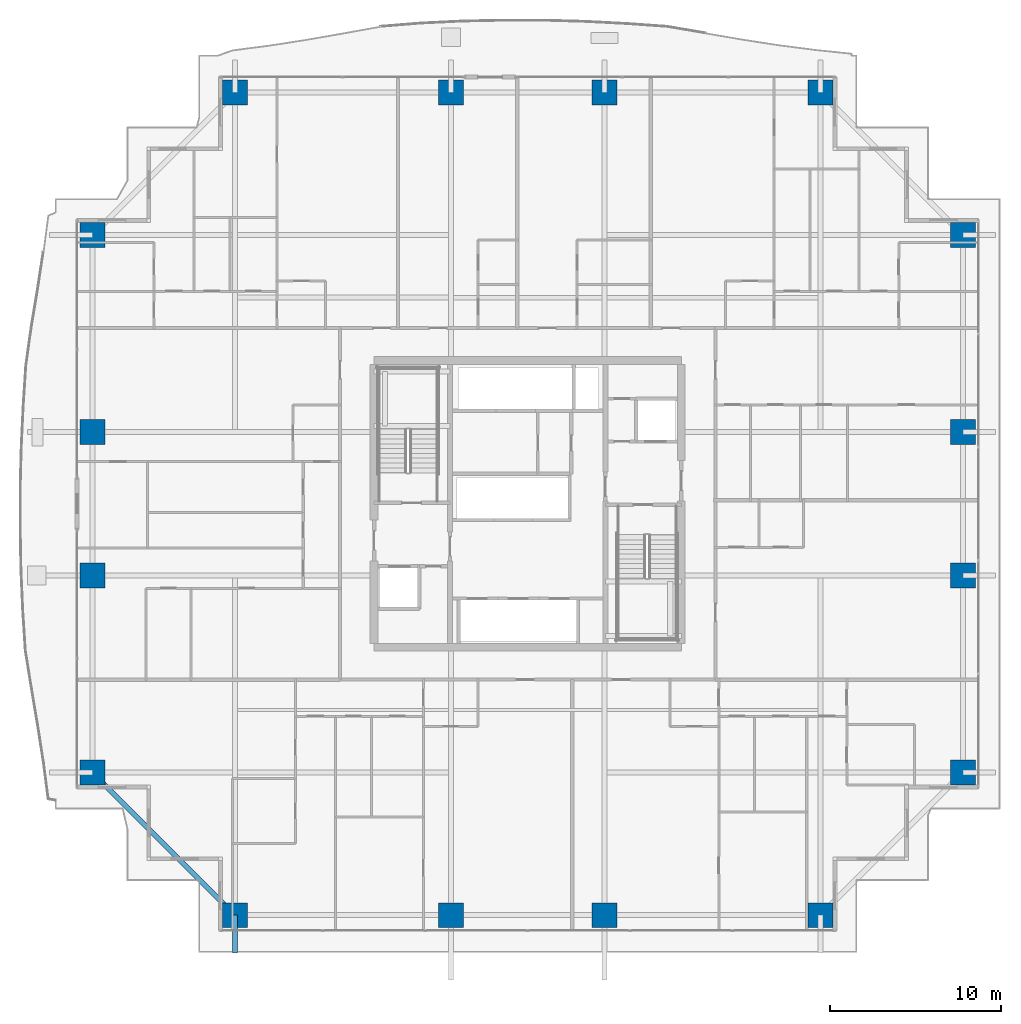
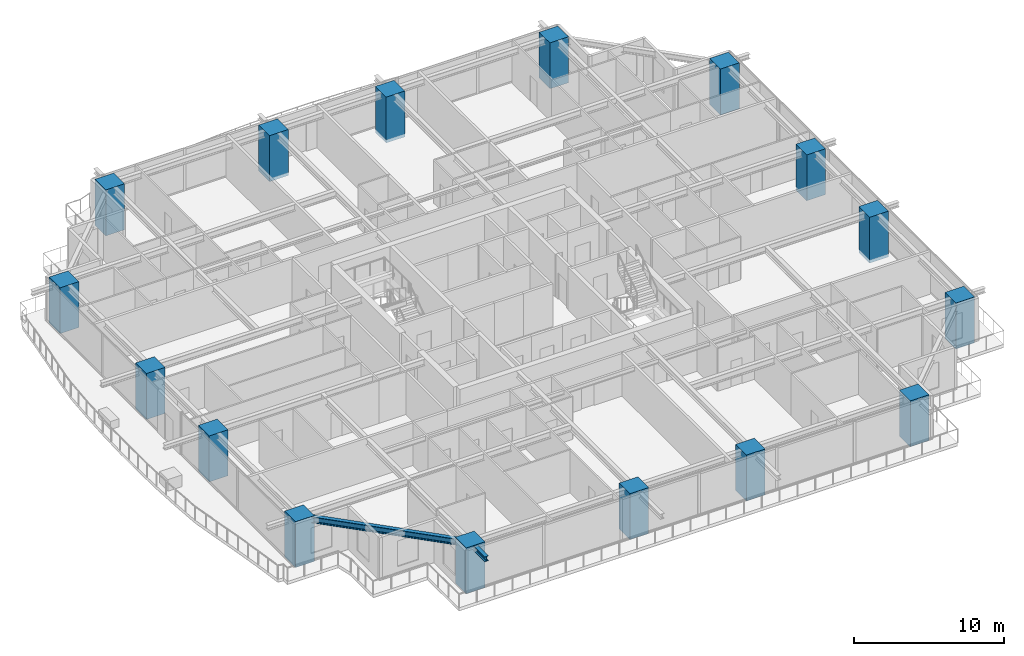
# One storey, part 1 of 34: 16 columns, 2 beams.
"""IFC4 building model written with IfcOpenShell, lengths in metres."""

from ifc_helpers import new_model, si_unit, direction, frame, origin, origin_2d, place, context, subcontext, project, spatial, rectangle, i_section, extrude, source, transform, mapped, material, material_profile, profile_set, type_object, element, save


model = new_model("IFC4")

# Units and contexts
model_context = context("Model", 3, precision=1e-05, world=origin(), true_north=direction((0.0, 1.0)))
body_context = subcontext(model_context, "Body", "Model", "MODEL_VIEW")
ifc_project = project(units=[si_unit("LENGTHUNIT", "METRE"), si_unit("AREAUNIT", "SQUARE_METRE"), si_unit("VOLUMEUNIT", "CUBIC_METRE"), si_unit("PLANEANGLEUNIT", "RADIAN"), si_unit("MASSUNIT", "GRAM", prefix="KILO")], contexts=[model_context])

# Site, building, storey
site_placement = place(None, origin())
site = spatial("IfcSite", under=ifc_project, at=site_placement, CompositionType="ELEMENT")
building_placement = place(site_placement, origin())
building = spatial("IfcBuilding", under=site, at=building_placement, Name="Serunith Strait Residences", CompositionType="ELEMENT")
storey_placement = place(building_placement, frame((0.0, 0.0, 101.699951171875)))
storey = spatial("IfcBuildingStorey", under=building, at=storey_placement, Name="L25", CompositionType="ELEMENT", Elevation=101.699951171875)

# Columns
ifc_material_1 = material(Name="Concrete C90/105", Category="concrete")
ifc_material_profile_1 = material_profile(ifc_material_1, rectangle(XDim=1.449951171875, YDim=1.449951171875, at=origin_2d()), Name="RC 1450x1450")
ifc_profile_set_1 = profile_set([ifc_material_profile_1], Name="Concrete C90/105")
column_type = type_object("IfcColumnType", Name="COL-RC-1450", PredefinedType="COLUMN", material=ifc_profile_set_1)
shared_shape_1 = source(origin(), body_context, "Body", "SweptSolid", [
    extrude(rectangle(XDim=1.449951171875, YDim=1.449951171875, at=origin_2d()), origin(), (0.0, 0.0, 1.0), 3.75),
])
for number, where, z_axis, x_axis, name in (
    (1, (15.25, 1.10009765625, -0.260009765625), (0.0, 0.0, 1.0), (1.0, 0.0, 0.0), "L25 Tower Mega-Column TC-S1"),
    (2, (27.89990234375, 1.10009765625, -0.260009765625), (0.0, 0.0, 1.0), (1.0, 0.0, 0.0), "L25 Tower Mega-Column TC-S2"),
    (3, (36.89990234375, 1.10009765625, -0.260009765625), (0.0, 0.0, 1.0), (1.0, 0.0, 0.0), "L25 Tower Mega-Column TC-S3"),
    (4, (49.550048828125, 1.10009765625, -0.260009765625), (0.0, 0.0, 1.0), (1.0, 0.0, 0.0), "L25 Tower Mega-Column TC-S4"),
    (5, (15.25, 49.300048828125, -0.260009765625), (0.0, 0.0, 1.0), (1.0, 0.0, 0.0), "L25 Tower Mega-Column TC-N1"),
    (6, (27.89990234375, 49.300048828125, -0.260009765625), (0.0, 0.0, 1.0), (1.0, 0.0, 0.0), "L25 Tower Mega-Column TC-N2"),
    (7, (36.89990234375, 49.300048828125, -0.260009765625), (0.0, 0.0, 1.0), (1.0, 0.0, 0.0), "L25 Tower Mega-Column TC-N3"),
    (8, (49.550048828125, 49.300048828125, -0.260009765625), (0.0, 0.0, 1.0), (1.0, 0.0, 0.0), "L25 Tower Mega-Column TC-N4"),
    (9, (57.89990234375, 9.449951171875, -0.260009765625), (0.0, 0.0, 1.0), (1.0, 0.0, 0.0), "L25 Tower Mega-Column TC-E1"),
    (10, (57.89990234375, 21.0, -0.260009765625), (0.0, 0.0, 1.0), (1.0, 0.0, 0.0), "L25 Tower Mega-Column TC-E2"),
    (11, (57.89990234375, 29.39990234375, -0.260009765625), (0.0, 0.0, 1.0), (1.0, 0.0, 0.0), "L25 Tower Mega-Column TC-E3"),
    (12, (57.89990234375, 40.949951171875, -0.260009765625), (0.0, 0.0, 1.0), (1.0, 0.0, 0.0), "L25 Tower Mega-Column TC-E4"),
    (13, (6.89990234375, 9.449951171875, -0.260009765625), (0.0, 0.0, 1.0), (1.0, 0.0, 0.0), "L25 Tower Mega-Column TC-W1"),
    (14, (6.89990234375, 21.0, -0.260009765625), (0.0, 0.0, 1.0), (1.0, 0.0, 0.0), "L25 Tower Mega-Column TC-W2"),
    (15, (6.89990234375, 29.39990234375, -0.260009765625), (0.0, 0.0, 1.0), (1.0, 0.0, 0.0), "L25 Tower Mega-Column TC-W3"),
    (16, (6.89990234375, 40.949951171875, -0.260009765625), (0.0, 0.0, 1.0), (1.0, 0.0, 0.0), "L25 Tower Mega-Column TC-W4"),
):
    element("IfcColumn", number, at=place(storey_placement, frame(where, z_axis=z_axis, x_axis=x_axis)), inside=storey, type_object=column_type, Name=name, PredefinedType="COLUMN", context=body_context, shape_type="MappedRepresentation", body=[
        mapped(shared_shape_1, transform((0.0, 0.0, 0.0), scale=1.0)),
    ])

# Beams
ifc_material_2 = material(Name="Steel S355J2", Category="steel")
ifc_material_profile_2 = material_profile(ifc_material_2, i_section(OverallWidth=0.300048828125, OverallDepth=0.5, WebThickness=0.014404296875, FlangeThickness=0.028076171875, FilletRadius=0.027099609375, at=origin_2d()), Name="HEB 500")
ifc_profile_set_2 = profile_set([ifc_material_profile_2], Name="Steel S355J2")
beam_type_1 = type_object("IfcBeamType", Name="BM-HEB500", PredefinedType="BEAM", material=ifc_profile_set_2)
shared_shape_2 = source(origin(), body_context, "Body", "SweptSolid", [
    extrude(i_section(OverallWidth=0.300048828125, OverallDepth=0.5, WebThickness=0.014404296875, FlangeThickness=0.028076171875, FilletRadius=0.027099609375, at=origin_2d()), origin(), (0.0, 0.0, 1.0), 11.80859375),
])
beam_1_placement = place(storey_placement, frame((6.89990234375, 9.449951171875, 3.20703125), z_axis=(0.707117118476, -0.707096443746, 0.0), x_axis=(0.707096443746, 0.707117118476, 0.0)))
element("IfcBeam", 17, at=beam_1_placement, inside=storey, type_object=beam_type_1, Name="L25 Perimeter Ring Beam 16", PredefinedType="BEAM", context=body_context, shape_type="MappedRepresentation", body=[
    mapped(shared_shape_2, transform((0.0, 0.0, 0.0), scale=1.0)),
])
ifc_material_profile_3 = material_profile(ifc_material_2, i_section(OverallWidth=0.300048828125, OverallDepth=0.39990234375, WebThickness=0.013427734375, FlangeThickness=0.02392578125, FilletRadius=0.027099609375, at=origin_2d()), Name="HEB 400")
ifc_profile_set_3 = profile_set([ifc_material_profile_3], Name="Steel S355J2")
beam_type_2 = type_object("IfcBeamType", Name="BM-HEB400", PredefinedType="BEAM", material=ifc_profile_set_3)
shared_shape_3 = source(origin(), body_context, "Body", "SweptSolid", [
    extrude(i_section(OverallWidth=0.300048828125, OverallDepth=0.39990234375, WebThickness=0.013427734375, FlangeThickness=0.02392578125, FilletRadius=0.027099609375, at=origin_2d()), origin(), (0.0, 0.0, 1.0), 2.222900390625),
])
beam_2_placement = place(storey_placement, frame((15.25, 1.10009765625, 3.257080078125), z_axis=(0.0, -1.0, 0.0), x_axis=(1.0, 0.0, 0.0)))
element("IfcBeam", 18, at=beam_2_placement, inside=storey, type_object=beam_type_2, Name="L26 Cantilevered Balcony Rib TC-S1", PredefinedType="BEAM", context=body_context, shape_type="MappedRepresentation", body=[
    mapped(shared_shape_3, transform((0.0, 0.0, 0.0), scale=1.0)),
])

save(model, "model.ifc")
